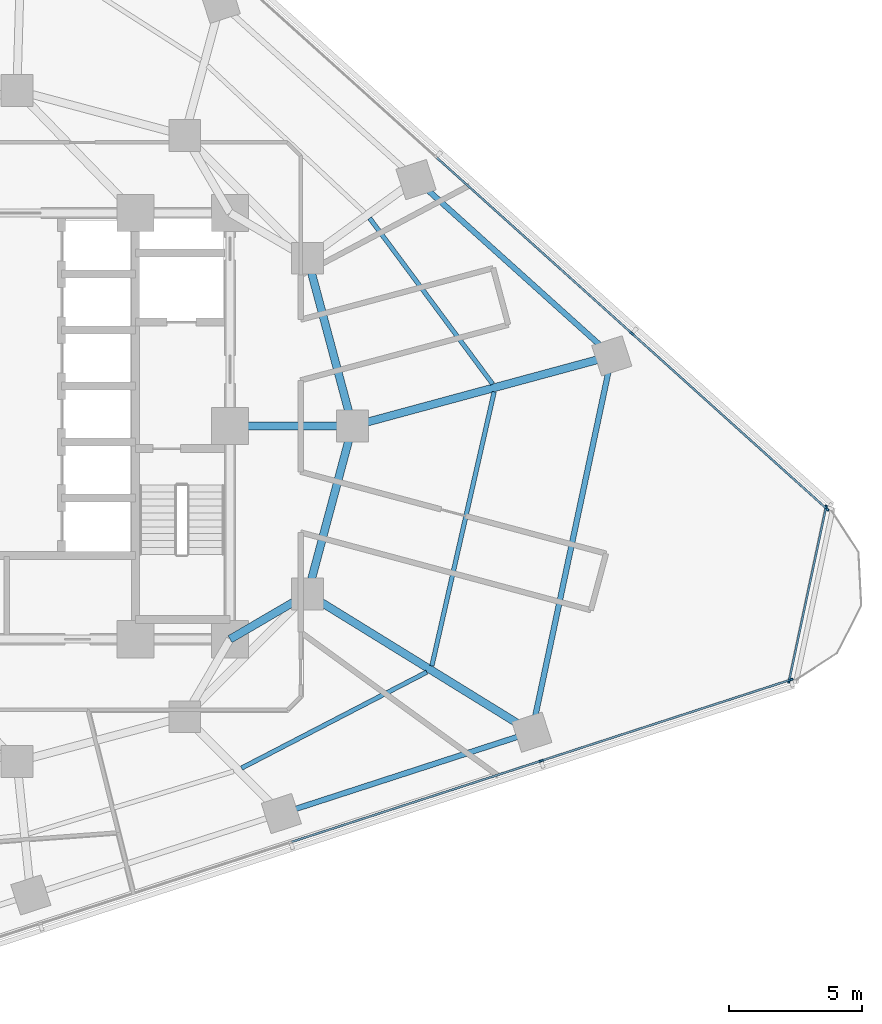
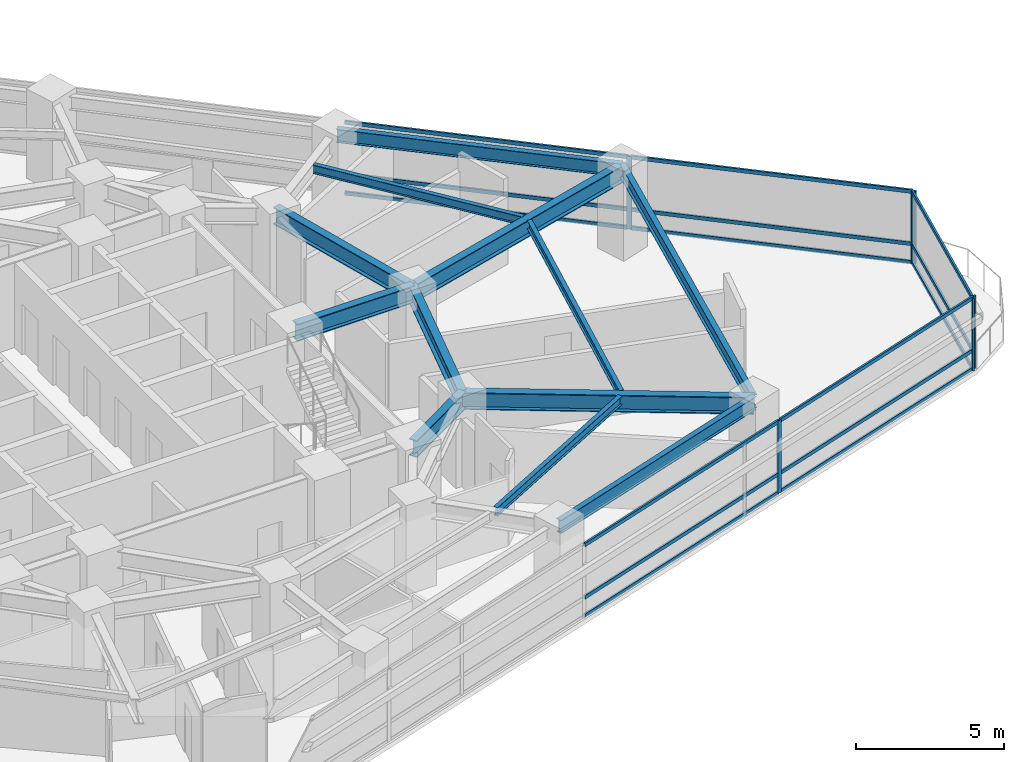
# One storey, part 4 of 14: 21 members, 12 beams, 3 elements without a shape of their own.
"""IFC4 building model written with IfcOpenShell, lengths in metres."""

from ifc_helpers import new_model, si_unit, direction, frame, origin, origin_2d, place, context, subcontext, project, spatial, rectangle, i_section, extrude, material, layer, layer_set, material_profile, profile_set, type_object, element, aggregate, save


model = new_model("IFC4")

# Units and contexts
model_context = context("Model", 3, precision=1e-05, world=origin(), true_north=direction((0.0, 1.0)))
body_context = subcontext(model_context, "Body", "Model", "MODEL_VIEW")
ifc_project = project(units=[si_unit("LENGTHUNIT", "METRE"), si_unit("AREAUNIT", "SQUARE_METRE"), si_unit("VOLUMEUNIT", "CUBIC_METRE"), si_unit("PLANEANGLEUNIT", "RADIAN"), si_unit("MASSUNIT", "GRAM", prefix="KILO")], contexts=[model_context])

# Site, building, storey
site_placement = place(None, origin())
site = spatial("IfcSite", under=ifc_project, at=site_placement, CompositionType="ELEMENT")
building_placement = place(site_placement, origin())
building = spatial("IfcBuilding", under=site, at=building_placement, Name="Terralouvre Media Tower", CompositionType="ELEMENT")
storey_placement = place(building_placement, frame((0.0, 0.0, 97.699951171875)))
storey = spatial("IfcBuildingStorey", under=building, at=storey_placement, Name="L24", CompositionType="ELEMENT", Elevation=97.699951171875)

# Beams
ifc_material_1 = material(Name="Structural steel S355J2", Category="steel")
ifc_material_profile_1 = material_profile(ifc_material_1, i_section(OverallWidth=0.169921875, OverallDepth=0.360107421875, WebThickness=0.008056640625, FlangeThickness=0.0126953125, at=origin_2d()), Name="IPE 360")
ifc_profile_set_1 = profile_set([ifc_material_profile_1], Name="Structural steel S355J2")
beam_type_1 = type_object("IfcBeamType", Name="Composite Floor Joist J-IPE360 (IPE 360)", PredefinedType="JOIST", material=ifc_profile_set_1)
beam_1_placement = place(storey_placement, frame((8.431640625, -12.83984375, 3.320068359375), z_axis=(0.88785826519, 0.460117051339, 0.0), x_axis=(-0.460117051339, 0.88785826519, 0.0)))
element("IfcBeam", 1, at=beam_1_placement, inside=storey, type_object=beam_type_1, Name="L24 Framing Beam JT-L24-05", PredefinedType="JOIST", context=body_context, shape_type="SweptSolid", body=[
    extrude(i_section(OverallWidth=0.169921875, OverallDepth=0.360107421875, WebThickness=0.008056640625, FlangeThickness=0.0126953125, at=origin_2d()), origin(), (0.0, 0.0, 1.0), 7.8349609375),
])
beam_2_placement = place(storey_placement, frame((15.576171875, -9.002685546875, 3.320068359375), z_axis=(0.221710109681, 0.975112622862, 0.0), x_axis=(-0.975112622862, 0.221710109681, 0.0)))
element("IfcBeam", 2, at=beam_2_placement, inside=storey, type_object=beam_type_1, Name="L24 Framing Beam JT-L24-06", PredefinedType="JOIST", context=body_context, shape_type="SweptSolid", body=[
    extrude(i_section(OverallWidth=0.169921875, OverallDepth=0.360107421875, WebThickness=0.008056640625, FlangeThickness=0.0126953125, at=origin_2d()), origin(), (0.0, 0.0, 1.0), 10.551513671875),
])
beam_3_placement = place(storey_placement, frame((17.85791015625, 1.57763671875, 3.320068359375), z_axis=(-0.595682426609, 0.803220048697, 0.0), x_axis=(-0.803220048697, -0.595682426609, 0.0)))
element("IfcBeam", 3, at=beam_3_placement, inside=storey, type_object=beam_type_1, Name="L24 Framing Beam JT-L24-07", PredefinedType="JOIST", context=body_context, shape_type="SweptSolid", body=[
    extrude(i_section(OverallWidth=0.169921875, OverallDepth=0.360107421875, WebThickness=0.008056640625, FlangeThickness=0.0126953125, at=origin_2d()), origin(), (0.0, 0.0, 1.0), 7.7509765625),
])

# Curtain wall, members
ifc_material_2 = material(Name="Low-iron laminated double glazing with solar-control coating", Category="glass")
ifc_layer_1 = layer(ifc_material_2, 0.1650390625, Name="Lower Media Tower Unitised Curtain Wall CW-02")
ifc_layer_set_1 = layer_set([ifc_layer_1], Name="Low-iron laminated double glazing with solar-control coating")
curtain_wall_type_1 = type_object("IfcCurtainWallType", Name="Lower Media Tower Unitised Curtain Wall CW-02", PredefinedType="NOTDEFINED", material=ifc_layer_set_1)
curtain_wall_1_placement = place(storey_placement, origin())
curtain_wall_1 = element("IfcCurtainWall", 4, at=curtain_wall_1_placement, inside=storey, type_object=curtain_wall_type_1, Name="L24 Facade Curtain Wall F0", PredefinedType="NOTDEFINED")
ifc_material_3 = material(Name="Anodised extruded aluminium 6063-T6", Category="aluminium")
ifc_material_profile_2 = material_profile(ifc_material_3, rectangle(XDim=0.074951171875, YDim=0.14990234375, at=origin_2d()), Name="ALU 75x150")
ifc_profile_set_2 = profile_set([ifc_material_profile_2], Name="Anodised extruded aluminium 6063-T6")
member_type_1 = type_object("IfcMemberType", Name="Curtain-Wall Horizontal Transom TR-150", PredefinedType="USERDEFINED", material=ifc_profile_set_2)
member_1_placement = place(storey_placement, frame((10.309814453125, -15.610107421875, 0.03759765625), z_axis=(0.951061672682, 0.309001124198, 0.0), x_axis=(-0.309001124198, 0.951061672682, 0.0)))
member_1 = element("IfcMember", 5, at=member_1_placement, type_object=member_type_1, Name="CW-02 transom 4.1", ObjectType="TRANSOM", PredefinedType="USERDEFINED", context=body_context, shape_type="SweptSolid", body=[
    extrude(rectangle(XDim=0.074951171875, YDim=0.14990234375, at=origin_2d()), origin(), (0.0, 0.0, 1.0), 9.81298828125),
])
member_2_placement = place(storey_placement, frame((10.309814453125, -15.610107421875, 0.800048828125), z_axis=(0.951061672682, 0.309001124198, 0.0), x_axis=(-0.309001124198, 0.951061672682, 0.0)))
member_2 = element("IfcMember", 6, at=member_2_placement, type_object=member_type_1, Name="CW-02 transom 4.2", ObjectType="TRANSOM", PredefinedType="USERDEFINED", context=body_context, shape_type="SweptSolid", body=[
    extrude(rectangle(XDim=0.074951171875, YDim=0.14990234375, at=origin_2d()), origin(), (0.0, 0.0, 1.0), 9.81298828125),
])
member_3_placement = place(storey_placement, frame((10.309814453125, -15.610107421875, 2.962646484375), z_axis=(0.951061672682, 0.309001124198, 0.0), x_axis=(-0.309001124198, 0.951061672682, 0.0)))
member_3 = element("IfcMember", 7, at=member_3_placement, type_object=member_type_1, Name="CW-02 transom 4.3", ObjectType="TRANSOM", PredefinedType="USERDEFINED", context=body_context, shape_type="SweptSolid", body=[
    extrude(rectangle(XDim=0.074951171875, YDim=0.14990234375, at=origin_2d()), origin(), (0.0, 0.0, 1.0), 9.81298828125),
])
member_4_placement = place(storey_placement, frame((19.7138671875, -12.5546875, 0.03759765625), z_axis=(0.951058475667, 0.309010963983, 0.0), x_axis=(-0.309010963983, 0.951058475667, 0.0)))
member_4 = element("IfcMember", 8, at=member_4_placement, type_object=member_type_1, Name="CW-02 transom 5.1", ObjectType="TRANSOM", PredefinedType="USERDEFINED", context=body_context, shape_type="SweptSolid", body=[
    extrude(rectangle(XDim=0.074951171875, YDim=0.14990234375, at=origin_2d()), origin(), (0.0, 0.0, 1.0), 9.775634765625),
])
member_5_placement = place(storey_placement, frame((19.7138671875, -12.5546875, 0.800048828125), z_axis=(0.951058475667, 0.309010963983, 0.0), x_axis=(-0.309010963983, 0.951058475667, 0.0)))
member_5 = element("IfcMember", 9, at=member_5_placement, type_object=member_type_1, Name="CW-02 transom 5.2", ObjectType="TRANSOM", PredefinedType="USERDEFINED", context=body_context, shape_type="SweptSolid", body=[
    extrude(rectangle(XDim=0.074951171875, YDim=0.14990234375, at=origin_2d()), origin(), (0.0, 0.0, 1.0), 9.775634765625),
])
member_6_placement = place(storey_placement, frame((19.7138671875, -12.5546875, 2.962646484375), z_axis=(0.951058475667, 0.309010963983, 0.0), x_axis=(-0.309010963983, 0.951058475667, 0.0)))
member_6 = element("IfcMember", 10, at=member_6_placement, type_object=member_type_1, Name="CW-02 transom 5.3", ObjectType="TRANSOM", PredefinedType="USERDEFINED", context=body_context, shape_type="SweptSolid", body=[
    extrude(rectangle(XDim=0.074951171875, YDim=0.14990234375, at=origin_2d()), origin(), (0.0, 0.0, 1.0), 9.775634765625),
])

curtain_wall_2_placement = place(storey_placement, origin())
curtain_wall_2 = element("IfcCurtainWall", 11, at=curtain_wall_2_placement, inside=storey, type_object=curtain_wall_type_1, Name="L24 Facade Curtain Wall F1", PredefinedType="NOTDEFINED")
member_7_placement = place(storey_placement, frame((30.380615234375, -3.09033203125, 0.03759765625), z_axis=(-0.743137656594, 0.669138568125, 0.0), x_axis=(-0.669138568125, -0.743137656594, 0.0)))
member_7 = element("IfcMember", 12, at=member_7_placement, type_object=member_type_1, Name="CW-02 transom 1.1", ObjectType="TRANSOM", PredefinedType="USERDEFINED", context=body_context, shape_type="SweptSolid", body=[
    extrude(rectangle(XDim=0.074951171875, YDim=0.14990234375, at=origin_2d()), origin(), (0.0, 0.0, 1.0), 9.775634765625),
])
member_8_placement = place(storey_placement, frame((30.380615234375, -3.09033203125, 0.800048828125), z_axis=(-0.743137656594, 0.669138568125, 0.0), x_axis=(-0.669138568125, -0.743137656594, 0.0)))
member_8 = element("IfcMember", 13, at=member_8_placement, type_object=member_type_1, Name="CW-02 transom 1.2", ObjectType="TRANSOM", PredefinedType="USERDEFINED", context=body_context, shape_type="SweptSolid", body=[
    extrude(rectangle(XDim=0.074951171875, YDim=0.14990234375, at=origin_2d()), origin(), (0.0, 0.0, 1.0), 9.775634765625),
])
member_9_placement = place(storey_placement, frame((30.380615234375, -3.09033203125, 2.962646484375), z_axis=(-0.743137656594, 0.669138568125, 0.0), x_axis=(-0.669138568125, -0.743137656594, 0.0)))
member_9 = element("IfcMember", 14, at=member_9_placement, type_object=member_type_1, Name="CW-02 transom 1.3", ObjectType="TRANSOM", PredefinedType="USERDEFINED", context=body_context, shape_type="SweptSolid", body=[
    extrude(rectangle(XDim=0.074951171875, YDim=0.14990234375, at=origin_2d()), origin(), (0.0, 0.0, 1.0), 9.775634765625),
])
member_10_placement = place(storey_placement, frame((23.060302734375, 3.5009765625, 0.03759765625), z_axis=(-0.743145676677, 0.669129661005, 0.0), x_axis=(-0.669129661005, -0.743145676677, 0.0)))
member_10 = element("IfcMember", 15, at=member_10_placement, type_object=member_type_1, Name="CW-02 transom 2.1", ObjectType="TRANSOM", PredefinedType="USERDEFINED", context=body_context, shape_type="SweptSolid", body=[
    extrude(rectangle(XDim=0.074951171875, YDim=0.14990234375, at=origin_2d()), origin(), (0.0, 0.0, 1.0), 9.81298828125),
])
member_11_placement = place(storey_placement, frame((23.060302734375, 3.5009765625, 0.800048828125), z_axis=(-0.743145676677, 0.669129661005, 0.0), x_axis=(-0.669129661005, -0.743145676677, 0.0)))
member_11 = element("IfcMember", 16, at=member_11_placement, type_object=member_type_1, Name="CW-02 transom 2.2", ObjectType="TRANSOM", PredefinedType="USERDEFINED", context=body_context, shape_type="SweptSolid", body=[
    extrude(rectangle(XDim=0.074951171875, YDim=0.14990234375, at=origin_2d()), origin(), (0.0, 0.0, 1.0), 9.81298828125),
])
member_12_placement = place(storey_placement, frame((23.060302734375, 3.5009765625, 2.962646484375), z_axis=(-0.743145676677, 0.669129661005, 0.0), x_axis=(-0.669129661005, -0.743145676677, 0.0)))
member_12 = element("IfcMember", 17, at=member_12_placement, type_object=member_type_1, Name="CW-02 transom 2.3", ObjectType="TRANSOM", PredefinedType="USERDEFINED", context=body_context, shape_type="SweptSolid", body=[
    extrude(rectangle(XDim=0.074951171875, YDim=0.14990234375, at=origin_2d()), origin(), (0.0, 0.0, 1.0), 9.81298828125),
])

ifc_material_4 = material(Name="Low-iron laminated double glazing with solar-control coating", Category="glass")
ifc_layer_2 = layer(ifc_material_4, 0.1650390625, Name="Rounded Wind-Corner Curved Glazing CW-04")
ifc_layer_set_2 = layer_set([ifc_layer_2], Name="Low-iron laminated double glazing with solar-control coating")
curtain_wall_type_2 = type_object("IfcCurtainWallType", Name="Rounded Wind-Corner Curved Glazing CW-04", PredefinedType="NOTDEFINED", material=ifc_layer_set_2)
curtain_wall_3_placement = place(storey_placement, origin())
curtain_wall_3 = element("IfcCurtainWall", 18, at=curtain_wall_3_placement, inside=storey, type_object=curtain_wall_type_2, Name="L24 Rounded Wind-Corner Curtain Wall C1", PredefinedType="NOTDEFINED")
member_13_placement = place(storey_placement, frame((28.998046875, -9.522216796875, 0.03759765625), z_axis=(0.207899641228, 0.978150161876, 0.0), x_axis=(-0.978150161876, 0.207899641228, 0.0)))
member_13 = element("IfcMember", 19, at=member_13_placement, type_object=member_type_1, Name="CW-04 transom 1.1", ObjectType="TRANSOM", PredefinedType="USERDEFINED", context=body_context, shape_type="SweptSolid", body=[
    extrude(rectangle(XDim=0.074951171875, YDim=0.14990234375, at=origin_2d()), origin(), (0.0, 0.0, 1.0), 6.5703125),
])
member_14_placement = place(storey_placement, frame((28.998046875, -9.522216796875, 0.800048828125), z_axis=(0.207899641228, 0.978150161876, 0.0), x_axis=(-0.978150161876, 0.207899641228, 0.0)))
member_14 = element("IfcMember", 20, at=member_14_placement, type_object=member_type_1, Name="CW-04 transom 1.2", ObjectType="TRANSOM", PredefinedType="USERDEFINED", context=body_context, shape_type="SweptSolid", body=[
    extrude(rectangle(XDim=0.074951171875, YDim=0.14990234375, at=origin_2d()), origin(), (0.0, 0.0, 1.0), 6.5703125),
])
member_15_placement = place(storey_placement, frame((28.998046875, -9.522216796875, 2.962646484375), z_axis=(0.207899641228, 0.978150161876, 0.0), x_axis=(-0.978150161876, 0.207899641228, 0.0)))
member_15 = element("IfcMember", 21, at=member_15_placement, type_object=member_type_1, Name="CW-04 transom 1.3", ObjectType="TRANSOM", PredefinedType="USERDEFINED", context=body_context, shape_type="SweptSolid", body=[
    extrude(rectangle(XDim=0.074951171875, YDim=0.14990234375, at=origin_2d()), origin(), (0.0, 0.0, 1.0), 6.5703125),
])

# Member
ifc_material_5 = material(Name="Anodised extruded aluminium 6063-T6", Category="aluminium")
ifc_material_profile_3 = material_profile(ifc_material_5, rectangle(XDim=0.074951171875, YDim=0.179931640625, at=origin_2d()), Name="ALU 75x180")
ifc_profile_set_3 = profile_set([ifc_material_profile_3], Name="Anodised extruded aluminium 6063-T6")
member_type_2 = type_object("IfcMemberType", Name="Curtain-Wall Vertical Mullion ML-180", PredefinedType="MULLION", material=ifc_profile_set_3)
member_16_placement = place(storey_placement, frame((19.67822265625, -12.566162109375, 0.0), z_axis=(0.0, 0.0, 1.0), x_axis=(-0.309017015439, 0.951056509451, 0.0)))
member_16 = element("IfcMember", 22, at=member_16_placement, type_object=member_type_2, Name="CW-02 mullion 5", PredefinedType="MULLION", context=body_context, shape_type="SweptSolid", body=[
    extrude(rectangle(XDim=0.074951171875, YDim=0.179931640625, at=origin_2d()), origin(), (0.0, 0.0, 1.0), 3.0),
])

member_17_placement = place(storey_placement, frame((29.046630859375, -9.522216796875, 0.0), z_axis=(0.0, 0.0, 1.0), x_axis=(-0.309017015439, 0.951056509451, 0.0)))
member_17 = element("IfcMember", 23, at=member_17_placement, type_object=member_type_2, Name="CW-02 mullion 6", PredefinedType="MULLION", context=body_context, shape_type="SweptSolid", body=[
    extrude(rectangle(XDim=0.074951171875, YDim=0.179931640625, at=origin_2d()), origin(), (0.0, 0.0, 1.0), 3.0),
])

aggregate(curtain_wall_1, [member_16, member_17, member_1, member_2, member_3, member_4, member_5, member_6])

member_18_placement = place(storey_placement, frame((30.408447265625, -3.115478515625, 0.0), z_axis=(0.0, 0.0, 1.0), x_axis=(-0.669130639602, -0.743144795545, 0.0)))
member_18 = element("IfcMember", 24, at=member_18_placement, type_object=member_type_2, Name="CW-02 mullion 1", PredefinedType="MULLION", context=body_context, shape_type="SweptSolid", body=[
    extrude(rectangle(XDim=0.074951171875, YDim=0.179931640625, at=origin_2d()), origin(), (0.0, 0.0, 1.0), 3.0),
])

member_19_placement = place(storey_placement, frame((23.088134765625, 3.475830078125, 0.0), z_axis=(0.0, 0.0, 1.0), x_axis=(-0.669130639602, -0.743144795545, 0.0)))
member_19 = element("IfcMember", 25, at=member_19_placement, type_object=member_type_2, Name="CW-02 mullion 2", PredefinedType="MULLION", context=body_context, shape_type="SweptSolid", body=[
    extrude(rectangle(XDim=0.074951171875, YDim=0.179931640625, at=origin_2d()), origin(), (0.0, 0.0, 1.0), 3.0),
])

aggregate(curtain_wall_2, [member_18, member_19, member_7, member_8, member_9, member_10, member_11, member_12])

member_20_placement = place(storey_placement, frame((28.990234375, -9.55908203125, 0.0), z_axis=(0.0, 0.0, 1.0), x_axis=(-0.978147617626, 0.207911611348, 0.0)))
member_20 = element("IfcMember", 26, at=member_20_placement, type_object=member_type_2, Name="CW-04 mullion 1", PredefinedType="MULLION", context=body_context, shape_type="SweptSolid", body=[
    extrude(rectangle(XDim=0.074951171875, YDim=0.179931640625, at=origin_2d()), origin(), (0.0, 0.0, 1.0), 3.0),
])

member_21_placement = place(storey_placement, frame((30.371826171875, -3.058837890625, 0.0), z_axis=(0.0, 0.0, 1.0), x_axis=(-0.978147617626, 0.207911611348, 0.0)))
member_21 = element("IfcMember", 27, at=member_21_placement, type_object=member_type_2, Name="CW-04 mullion 2", PredefinedType="MULLION", context=body_context, shape_type="SweptSolid", body=[
    extrude(rectangle(XDim=0.074951171875, YDim=0.179931640625, at=origin_2d()), origin(), (0.0, 0.0, 1.0), 3.0),
])

aggregate(curtain_wall_3, [member_20, member_21, member_13, member_14, member_15])

# Beams
ifc_material_6 = material(Name="Structural steel S355J2", Category="steel")
ifc_material_profile_4 = material_profile(ifc_material_6, i_section(OverallWidth=0.2099609375, OverallDepth=0.550048828125, WebThickness=0.010986328125, FlangeThickness=0.01708984375, at=origin_2d()), Name="IPE 550")
ifc_profile_set_4 = profile_set([ifc_material_profile_4], Name="Structural steel S355J2")
beam_type_2 = type_object("IfcBeamType", Name="Perimeter Spandrel Beam SPB-550 (IPE 550)", PredefinedType="SPANDREL", material=ifc_profile_set_4)
beam_4_placement = place(storey_placement, frame((9.925048828125, -14.547119140625, 3.22509765625), z_axis=(0.95105348149, 0.309026334389, 0.0), x_axis=(-0.309026334389, 0.95105348149, 0.0)))
element("IfcBeam", 28, at=beam_4_placement, inside=storey, type_object=beam_type_2, Name="L24 Framing Beam BM-L24-PR05", PredefinedType="SPANDREL", context=body_context, shape_type="SweptSolid", body=[
    extrude(i_section(OverallWidth=0.2099609375, OverallDepth=0.550048828125, WebThickness=0.010986328125, FlangeThickness=0.01708984375, at=origin_2d()), origin(), (0.0, 0.0, 1.0), 9.887939453125),
])
beam_5_placement = place(storey_placement, frame((19.3291015625, -11.491455078125, 3.22509765625), z_axis=(0.207911520129, 0.978147637015, 0.0), x_axis=(-0.978147637015, 0.207911520129, 0.0)))
element("IfcBeam", 29, at=beam_5_placement, inside=storey, type_object=beam_type_2, Name="L24 Framing Beam BM-L24-PR06", PredefinedType="SPANDREL", context=body_context, shape_type="SweptSolid", body=[
    extrude(i_section(OverallWidth=0.2099609375, OverallDepth=0.550048828125, WebThickness=0.010986328125, FlangeThickness=0.01708984375, at=origin_2d()), origin(), (0.0, 0.0, 1.0), 14.443359375),
])
beam_6_placement = place(storey_placement, frame((22.33203125, 2.63623046875, 3.22509765625), z_axis=(-0.743149256852, 0.669125684786, 0.0), x_axis=(-0.669125684786, -0.743149256852, 0.0)))
element("IfcBeam", 30, at=beam_6_placement, inside=storey, type_object=beam_type_2, Name="L24 Framing Beam BM-L24-PR07", PredefinedType="SPANDREL", context=body_context, shape_type="SweptSolid", body=[
    extrude(i_section(OverallWidth=0.2099609375, OverallDepth=0.550048828125, WebThickness=0.010986328125, FlangeThickness=0.01708984375, at=origin_2d()), origin(), (0.0, 0.0, 1.0), 9.887939453125),
])
ifc_material_7 = material(Name="Structural steel S460M", Category="steel")
ifc_material_profile_5 = material_profile(ifc_material_7, i_section(OverallWidth=0.300048828125, OverallDepth=0.699951171875, WebThickness=0.01708984375, FlangeThickness=0.031982421875, at=origin_2d()), Name="HEB 700")
ifc_profile_set_5 = profile_set([ifc_material_profile_5], Name="Structural steel S460M")
beam_type_3 = type_object("IfcBeamType", Name="Primary Floor Girder B-HEB700 (HEB 700)", PredefinedType="BEAM", material=ifc_profile_set_5)
for number, where, z_axis, x_axis, name in (
    (31, (10.911865234375, -6.300048828125, 3.150146484375), (0.258838989821, 0.965920481897, 0.0), (-0.965920481897, 0.258838989821, 0.0), "L24 Framing Beam BM-L24-MR05"),
    (32, (12.60009765625, 0.0, 3.150146484375), (-0.258838989821, 0.965920481897, 0.0), (-0.965920481897, -0.258838989821, 0.0), "L24 Framing Beam BM-L24-MR06"),
):
    element("IfcBeam", number, at=place(storey_placement, frame(where, z_axis=z_axis, x_axis=x_axis)), inside=storey, type_object=beam_type_3, Name=name, PredefinedType="BEAM", context=body_context, shape_type="SweptSolid", body=[
        extrude(i_section(OverallWidth=0.300048828125, OverallDepth=0.699951171875, WebThickness=0.01708984375, FlangeThickness=0.031982421875, at=origin_2d()), origin(), (0.0, 0.0, 1.0), 6.522216796875),
    ])
beam_7_placement = place(storey_placement, frame((8.0, -8.0, 3.150146484375), z_axis=(0.863602894532, 0.504172629717, 0.0), x_axis=(-0.504172629717, 0.863602894532, 0.0)))
element("IfcBeam", 33, at=beam_7_placement, inside=storey, type_object=beam_type_3, Name="L24 Framing Beam BM-L24-CM05", PredefinedType="BEAM", context=body_context, shape_type="SweptSolid", body=[
    extrude(i_section(OverallWidth=0.300048828125, OverallDepth=0.699951171875, WebThickness=0.01708984375, FlangeThickness=0.031982421875, at=origin_2d()), origin(), (0.0, 0.0, 1.0), 3.371826171875),
])
beam_8_placement = place(storey_placement, frame((8.0, 0.0, 3.150146484375), z_axis=(1.0, 0.0, 0.0), x_axis=(0.0, 1.0, 0.0)))
element("IfcBeam", 34, at=beam_8_placement, inside=storey, type_object=beam_type_3, Name="L24 Framing Beam BM-L24-CM06", PredefinedType="BEAM", context=body_context, shape_type="SweptSolid", body=[
    extrude(i_section(OverallWidth=0.300048828125, OverallDepth=0.699951171875, WebThickness=0.01708984375, FlangeThickness=0.031982421875, at=origin_2d()), origin(), (0.0, 0.0, 1.0), 4.60009765625),
])
beam_9_placement = place(storey_placement, frame((10.911865234375, -6.300048828125, 3.150146484375), z_axis=(0.851135757445, -0.524945637565, 0.0), x_axis=(0.524945637565, 0.851135757445, 0.0)))
element("IfcBeam", 35, at=beam_9_placement, inside=storey, type_object=beam_type_3, Name="L24 Framing Beam BM-L24-RD06", PredefinedType="BEAM", context=body_context, shape_type="SweptSolid", body=[
    extrude(i_section(OverallWidth=0.300048828125, OverallDepth=0.699951171875, WebThickness=0.01708984375, FlangeThickness=0.031982421875, at=origin_2d()), origin(), (0.0, 0.0, 1.0), 9.889404296875),
])
beam_10_placement = place(storey_placement, frame((12.60009765625, 0.0, 3.150146484375), z_axis=(0.965213896705, 0.261461533707, 0.0), x_axis=(-0.261461533707, 0.965213896705, 0.0)))
element("IfcBeam", 36, at=beam_10_placement, inside=storey, type_object=beam_type_3, Name="L24 Framing Beam BM-L24-RD07", PredefinedType="BEAM", context=body_context, shape_type="SweptSolid", body=[
    extrude(i_section(OverallWidth=0.300048828125, OverallDepth=0.699951171875, WebThickness=0.01708984375, FlangeThickness=0.031982421875, at=origin_2d()), origin(), (0.0, 0.0, 1.0), 10.082763671875),
])

save(model, "model.ifc")
